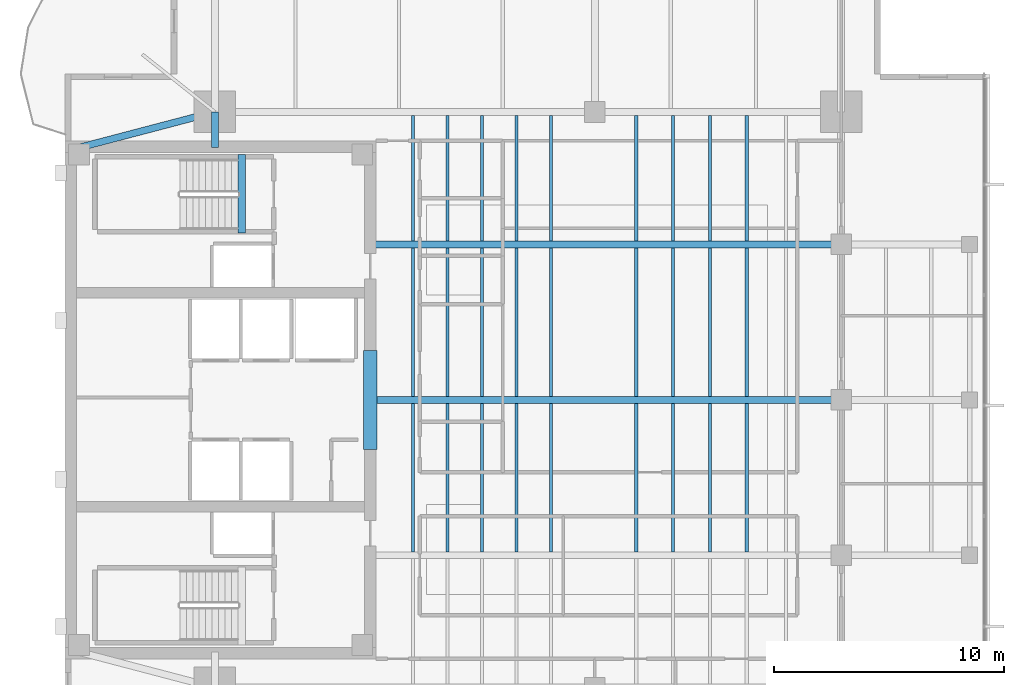
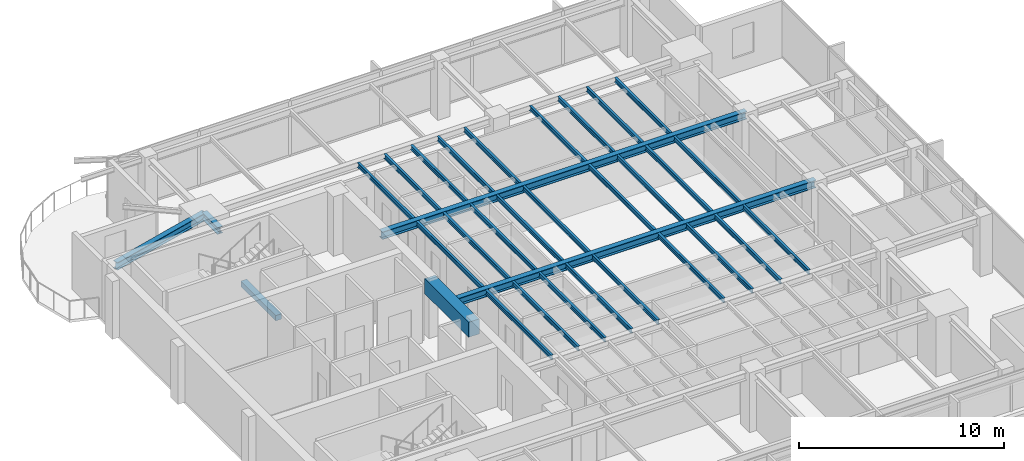
# One storey, part 3 of 14: 33 beams.
"""IFC4 building model written with IfcOpenShell, lengths in metres."""

import ifcopenshell
import ifcopenshell.guid

model = None  # the IFC model being written
_history = None  # IfcOwnerHistory: only IFC2X3 demands one
_inside = {}  # id of a spatial element -> (the spatial element, [elements in it])
_under = {}  # id of a project, library or spatial element -> (it, [spatial elements below it])
_declared = {}  # id of a project -> (the project, [libraries it declares])
_typed = {}  # id of a type object -> (the type object, [elements of that type])
_made_of = {}  # id of a material, layer set ... -> (it, [elements and type objects made of it])


def new_model(schema):
    """Start an empty IFC model of exactly this schema.

    Asked for "IFC4X3", IfcOpenShell would pick the latest addendum, in which some entities
    have other attributes; the version numbers below select the first issue.
    IFC2X3 requires an IfcOwnerHistory on every rooted entity: one is made here for all.
    """
    global model, _history
    if schema == "IFC4X3":
        model = ifcopenshell.file(schema_version=(4, 3, 0, 0))
    else:
        model = ifcopenshell.file(schema=schema)
    _inside.clear()
    _under.clear()
    _declared.clear()
    _typed.clear()
    _made_of.clear()
    _history = None
    if model.schema == "IFC2X3":
        org = make("IfcOrganization", Name="unknown")
        user = make(
            "IfcPersonAndOrganization",
            ThePerson=make("IfcPerson", FamilyName="unknown"),
            TheOrganization=org,
        )
        app = make(
            "IfcApplication",
            ApplicationDeveloper=org,
            Version="unknown",
            ApplicationFullName="unknown",
            ApplicationIdentifier="unknown",
        )
        _history = make(
            "IfcOwnerHistory",
            OwningUser=user,
            OwningApplication=app,
            ChangeAction="ADDED",
            CreationDate=0,
        )
    return model


def make(cls, **values):
    """One entity of the class cls with the attributes given. An attribute that is None is left unset."""
    return model.create_entity(
        cls, **{name: value for name, value in values.items() if value is not None}
    )


def rooted(cls, **values):
    """An entity with a GlobalId (a new one), such as an element, a storey or a relation."""
    return make(cls, GlobalId=ifcopenshell.guid.new(), OwnerHistory=_history, **values)


def si_unit(unit_type, name, prefix=None):
    """IfcSIUnit, for example si_unit("LENGTHUNIT", "METRE", prefix="MILLI")."""
    return make("IfcSIUnit", UnitType=unit_type, Prefix=prefix, Name=name)


def assignment(units):
    """IfcUnitAssignment: the units of a project."""
    return None if units is None else make("IfcUnitAssignment", Units=units)


def point(xyz):
    """IfcCartesianPoint."""
    return None if xyz is None else make("IfcCartesianPoint", Coordinates=xyz)


def direction(xyz):
    """IfcDirection."""
    return None if xyz is None else make("IfcDirection", DirectionRatios=xyz)


def frame(location, z_axis=None, x_axis=None):
    """IfcAxis2Placement3D, a coordinate frame: its origin and axes. An axis left out is left unset."""
    return make(
        "IfcAxis2Placement3D",
        Location=point(location),
        Axis=direction(z_axis),
        RefDirection=direction(x_axis),
    )


def frame_2d(location, x_axis=None):
    """IfcAxis2Placement2D, a coordinate frame in the plane: its origin and x axis."""
    return make(
        "IfcAxis2Placement2D", Location=point(location), RefDirection=direction(x_axis)
    )


def origin():
    """The frame at (0, 0, 0) with its axes left unset."""
    return frame((0.0, 0.0, 0.0))


def origin_2d():
    """The frame at (0, 0) in the plane with its x axis left unset."""
    return frame_2d((0.0, 0.0))


def place(relative_to, where):
    """IfcLocalPlacement: puts the frame where relative to a parent placement (None: the world)."""
    return make(
        "IfcLocalPlacement", PlacementRelTo=relative_to, RelativePlacement=where
    )


def context(
    kind, dimensions, precision=None, world=None, true_north=None, identifier=None
):
    """IfcGeometricRepresentationContext, for example the 3D "Model" context."""
    return make(
        "IfcGeometricRepresentationContext",
        ContextIdentifier=identifier,
        ContextType=kind,
        CoordinateSpaceDimension=dimensions,
        Precision=precision,
        WorldCoordinateSystem=world,
        TrueNorth=true_north,
    )


def subcontext(parent, identifier, kind, view, scale=None):
    """IfcGeometricRepresentationSubContext, for example "Body" below "Model"."""
    return make(
        "IfcGeometricRepresentationSubContext",
        ContextIdentifier=identifier,
        ContextType=kind,
        ParentContext=parent,
        TargetScale=scale,
        TargetView=view,
    )


def project(units=None, contexts=None):
    """IfcProject with its units and contexts."""
    return rooted(
        "IfcProject",
        Name="project",
        RepresentationContexts=contexts,
        UnitsInContext=assignment(units),
    )


def spatial(cls, under=None, at=None, **own):
    """A site, building, storey or space (cls), placed at a placement, below another one or the project."""
    s = rooted(cls, ObjectPlacement=at, **own)
    if under is not None:
        _under.setdefault(under.id(), (under, []))[1].append(s)
    return s


def profile(cls, at=None, kind="AREA", **sizes):
    """A parametric profile (cls). Its sizes go by their IFC names, for example OverallWidth=200.0."""
    return make(cls, ProfileType=kind, Position=at, **sizes)


def rectangle(**sizes):
    """IfcRectangleProfileDef."""
    return profile("IfcRectangleProfileDef", **sizes)


def i_section(**sizes):
    """IfcIShapeProfileDef."""
    return profile("IfcIShapeProfileDef", **sizes)


def extrude(swept, where, along, depth):
    """IfcExtrudedAreaSolid: the profile swept, set in the frame where, extruded along a direction by depth."""
    return make(
        "IfcExtrudedAreaSolid",
        SweptArea=swept,
        Position=where,
        ExtrudedDirection=direction(along),
        Depth=depth,
    )


def shape(context_of_items, identifier, shape_type, items):
    """IfcShapeRepresentation: the items that make up one representation, for example the "Body"."""
    return make(
        "IfcShapeRepresentation",
        ContextOfItems=context_of_items,
        RepresentationIdentifier=identifier,
        RepresentationType=shape_type,
        Items=items,
    )


def material(Name=None, Category=None):
    """IfcMaterial."""
    return make("IfcMaterial", Name=Name, Category=Category)


def material_profile(
    of_material, cross_section, Name=None, Category=None, Priority=None
):
    """IfcMaterialProfile: a cross section and its material."""
    return make(
        "IfcMaterialProfile",
        Name=Name,
        Material=of_material,
        Profile=cross_section,
        Priority=Priority,
        Category=Category,
    )


def profile_set(profiles, Name=None, composite=None):
    """IfcMaterialProfileSet."""
    return make(
        "IfcMaterialProfileSet",
        Name=Name,
        MaterialProfiles=profiles,
        CompositeProfile=composite,
    )


def made_of(thing, what):
    """Note that an element or type object is made of a material, layer set ...; save() writes the relation."""
    if what is not None:
        _made_of.setdefault(what.id(), (what, []))[1].append(thing)
    return thing


def type_object(cls, material=None, **own):
    """A type object (cls), such as IfcWallType, which elements share."""
    return made_of(rooted(cls, **own), material)


def element(
    cls,
    number,
    at=None,
    inside=None,
    cuts=None,
    type_object=None,
    material=None,
    context=None,
    identifier="Body",
    shape_type=None,
    held_by="IfcProductDefinitionShape",
    body=None,
    shapes=None,
    **own,
):
    """One element of the class cls, such as IfcWall. Its Tag is "e" and its number.

    at: its placement. inside: the storey or other place that contains it. cuts: it is an
    opening in that element (IfcRelVoidsElement). A single representation is given by context,
    identifier, shape_type and body (its items); several are given by shapes. held_by: the class
    of the entity that holds the representations. save() writes the other relations.
    """
    e = rooted(cls, Tag="e%d" % number, ObjectPlacement=at, **own)
    if body is not None:
        shapes = [shape(context, identifier, shape_type, body)]
    if shapes is not None:
        e.Representation = make(held_by, Representations=shapes)
    if inside is not None:
        _inside.setdefault(inside.id(), (inside, []))[1].append(e)
    if cuts is not None:
        rooted(
            "IfcRelVoidsElement", RelatingBuildingElement=cuts, RelatedOpeningElement=e
        )
    if type_object is not None:
        _typed.setdefault(type_object.id(), (type_object, []))[1].append(e)
    return made_of(e, material)


def aggregate(whole, parts):
    """IfcRelAggregates: a whole, such as a stair, and the parts it consists of."""
    return rooted("IfcRelAggregates", RelatingObject=whole, RelatedObjects=parts)


def save(model, path):
    """Write the relations noted so far, then the file.

    IfcRelAggregates (storeys below a building ...), IfcRelContainedInSpatialStructure (elements
    in a storey), IfcRelDefinesByType, IfcRelAssociatesMaterial and IfcRelDeclares: one each for
    every whole, place, type object, material and project.
    """
    for whole, parts in _under.values():
        aggregate(whole, parts)
    for where, things in _inside.values():
        rooted(
            "IfcRelContainedInSpatialStructure",
            RelatedElements=things,
            RelatingStructure=where,
        )
    for kind, things in _typed.values():
        rooted("IfcRelDefinesByType", RelatedObjects=things, RelatingType=kind)
    for what, things in _made_of.values():
        rooted("IfcRelAssociatesMaterial", RelatedObjects=things, RelatingMaterial=what)
    for by, libraries in _declared.values():
        rooted("IfcRelDeclares", RelatingContext=by, RelatedDefinitions=libraries)
    model.write(path)


model = new_model("IFC4")

# Units and contexts
model_context = context("Model", 3, precision=1e-05, world=origin(), true_north=direction((0.0, 1.0)))
body_context = subcontext(model_context, "Body", "Model", "MODEL_VIEW")
ifc_project = project(units=[si_unit("LENGTHUNIT", "METRE"), si_unit("AREAUNIT", "SQUARE_METRE"), si_unit("VOLUMEUNIT", "CUBIC_METRE"), si_unit("PLANEANGLEUNIT", "RADIAN"), si_unit("MASSUNIT", "GRAM", prefix="KILO")], contexts=[model_context])

# Site, building, storey
site_placement = place(None, origin())
site = spatial("IfcSite", under=ifc_project, at=site_placement, CompositionType="ELEMENT")
building_placement = place(site_placement, origin())
building = spatial("IfcBuilding", under=site, at=building_placement, Name="Kinhvarn Gate Tower", CompositionType="ELEMENT")
storey_placement = place(building_placement, frame((0.0, 0.0, 277.64990234375)))
storey = spatial("IfcBuildingStorey", under=building, at=storey_placement, Name="L74", CompositionType="ELEMENT", Elevation=277.64990234375)

# Beams
ifc_material_1 = material(Name="Concrete C60/75", Category="concrete")
ifc_material_profile_1 = material_profile(ifc_material_1, rectangle(XDim=0.60009765625, YDim=0.89990234375, at=origin_2d()), Name="RC 600x900")
ifc_profile_set_1 = profile_set([ifc_material_profile_1], Name="Concrete C60/75")
beam_type_1 = type_object("IfcBeamType", Name="BM-CB-900", PredefinedType="LINTEL", material=ifc_profile_set_1)
beam_1_placement = place(storey_placement, frame((17.75, 23.10009765625, 2.940185546875), z_axis=(0.0, 1.0, 0.0), x_axis=(-1.0, 0.0, 0.0)))
element("IfcBeam", 1, at=beam_1_placement, inside=storey, type_object=beam_type_1, Name="Core East Portal Coupling Beam L74", PredefinedType="LINTEL", context=body_context, shape_type="SweptSolid", body=[
    extrude(rectangle(XDim=0.60009765625, YDim=0.89990234375, at=origin_2d()), origin(), (0.0, 0.0, 1.0), 4.2998046875),
])
ifc_material_2 = material(Name="Concrete C50/60", Category="concrete")
ifc_material_profile_2 = material_profile(ifc_material_2, rectangle(XDim=0.340087890625, YDim=0.320068359375, at=origin_2d()), Name="RC 340x320")
ifc_profile_set_2 = profile_set([ifc_material_profile_2], Name="Concrete C50/60")
beam_type_2 = type_object("IfcBeamType", Name="BM-LND-500", PredefinedType="BEAM", material=ifc_profile_set_2)
beam_2_placement = place(storey_placement, frame((12.1650390625, 32.5, -0.159912109375), z_axis=(0.0, 1.0, 0.0), x_axis=(-1.0, 0.0, 0.0)))
element("IfcBeam", 2, at=beam_2_placement, inside=storey, type_object=beam_type_2, Name="Stair ST2 Landing Nosing Beam (L74)", PredefinedType="BEAM", context=body_context, shape_type="SweptSolid", body=[
    extrude(rectangle(XDim=0.340087890625, YDim=0.320068359375, at=origin_2d()), origin(), (0.0, 0.0, 1.0), 3.39990234375),
])
ifc_material_3 = material(Name="Steel S355", Category="steel")
ifc_material_profile_3 = material_profile(ifc_material_3, i_section(OverallWidth=0.300048828125, OverallDepth=0.39990234375, WebThickness=0.013427734375, FlangeThickness=0.02392578125, at=origin_2d()), Name="HEB 400")
ifc_profile_set_3 = profile_set([ifc_material_profile_3], Name="Steel S355")
beam_type_3 = type_object("IfcBeamType", Name="STL-HEB400", PredefinedType="BEAM", material=ifc_profile_set_3)
beam_3_placement = place(storey_placement, frame((11.0, 36.199951171875, 3.190185546875), z_axis=(0.0, 1.0, 0.0), x_axis=(-1.0, 0.0, 0.0)))
element("IfcBeam", 3, at=beam_3_placement, inside=storey, type_object=beam_type_3, Name="Floor Beam PG-12 (L74 MCW-CN)", PredefinedType="BEAM", context=body_context, shape_type="SweptSolid", body=[
    extrude(i_section(OverallWidth=0.300048828125, OverallDepth=0.39990234375, WebThickness=0.013427734375, FlangeThickness=0.02392578125, at=origin_2d()), origin(), (0.0, 0.0, 1.0), 1.550048828125),
])
ifc_material_profile_4 = material_profile(ifc_material_3, i_section(OverallWidth=0.300048828125, OverallDepth=0.449951171875, WebThickness=0.013916015625, FlangeThickness=0.02587890625, at=origin_2d()), Name="HEB 450")
ifc_profile_set_4 = profile_set([ifc_material_profile_4], Name="Steel S355")
beam_type_4 = type_object("IfcBeamType", Name="STL-HEB450", PredefinedType="BEAM", material=ifc_profile_set_4)
beam_4_placement = place(storey_placement, frame((5.10009765625, 36.199951171875, 3.1650390625), z_axis=(0.967177623957, 0.254101246979, 0.0), x_axis=(-0.254101246979, 0.967177623957, 0.0)))
element("IfcBeam", 4, at=beam_4_placement, inside=storey, type_object=beam_type_4, Name="Floor Beam PG-13 (L74 MG-NW-DIAG)", PredefinedType="BEAM", context=body_context, shape_type="SweptSolid", body=[
    extrude(i_section(OverallWidth=0.300048828125, OverallDepth=0.449951171875, WebThickness=0.013916015625, FlangeThickness=0.02587890625, at=origin_2d()), origin(), (0.0, 0.0, 1.0), 6.10009765625),
])
beam_5_placement = place(storey_placement, frame((18.050048828125, 25.25, 3.1650390625), z_axis=(1.0, 0.0, 0.0), x_axis=(0.0, 1.0, 0.0)))
element("IfcBeam", 5, at=beam_5_placement, inside=storey, type_object=beam_type_4, Name="Floor Beam PG-13 (L74 EW1-Y25)", PredefinedType="BEAM", context=body_context, shape_type="SweptSolid", body=[
    extrude(i_section(OverallWidth=0.300048828125, OverallDepth=0.449951171875, WebThickness=0.013916015625, FlangeThickness=0.02587890625, at=origin_2d()), origin(), (0.0, 0.0, 1.0), 20.14990234375),
])
beam_6_placement = place(storey_placement, frame((17.64990234375, 32.0, 3.1650390625), z_axis=(1.0, 0.0, 0.0), x_axis=(0.0, 1.0, 0.0)))
element("IfcBeam", 6, at=beam_6_placement, inside=storey, type_object=beam_type_4, Name="Floor Beam PG-13 (L74 EW1-Y32)", PredefinedType="BEAM", context=body_context, shape_type="SweptSolid", body=[
    extrude(i_section(OverallWidth=0.300048828125, OverallDepth=0.449951171875, WebThickness=0.013916015625, FlangeThickness=0.02587890625, at=origin_2d()), origin(), (0.0, 0.0, 1.0), 20.550048828125),
])
ifc_material_profile_5 = material_profile(ifc_material_3, i_section(OverallWidth=0.135009765625, OverallDepth=0.27001953125, WebThickness=0.006591796875, FlangeThickness=0.01025390625, at=origin_2d()), Name="IPE 270")
ifc_profile_set_5 = profile_set([ifc_material_profile_5], Name="Steel S355")
beam_type_5 = type_object("IfcBeamType", Name="STL-IPE270", PredefinedType="JOIST", material=ifc_profile_set_5)
for number, where, z_axis, x_axis, name in (
    (7, (19.60009765625, 18.64990234375, 3.255126953125), (0.0, 1.0, 0.0), (-1.0, 0.0, 0.0), "Floor Joist SB-01 (L74 JC-X196-1)"),
    (8, (19.60009765625, 25.39990234375, 3.255126953125), (0.0, 1.0, 0.0), (-1.0, 0.0, 0.0), "Floor Joist SB-01 (L74 JC-X196-2)"),
):
    element("IfcBeam", number, at=place(storey_placement, frame(where, z_axis=z_axis, x_axis=x_axis)), inside=storey, type_object=beam_type_5, Name=name, PredefinedType="JOIST", context=body_context, shape_type="SweptSolid", body=[
        extrude(i_section(OverallWidth=0.135009765625, OverallDepth=0.27001953125, WebThickness=0.006591796875, FlangeThickness=0.01025390625, at=origin_2d()), origin(), (0.0, 0.0, 1.0), 6.4501953125),
    ])
beam_7_placement = place(storey_placement, frame((19.60009765625, 32.14990234375, 3.255126953125), z_axis=(0.0, 1.0, 0.0), x_axis=(-1.0, 0.0, 0.0)))
element("IfcBeam", 9, at=beam_7_placement, inside=storey, type_object=beam_type_5, Name="Floor Joist SB-01 (L74 JC-X196-3)", PredefinedType="JOIST", context=body_context, shape_type="SweptSolid", body=[
    extrude(i_section(OverallWidth=0.135009765625, OverallDepth=0.27001953125, WebThickness=0.006591796875, FlangeThickness=0.01025390625, at=origin_2d()), origin(), (0.0, 0.0, 1.0), 5.4501953125),
])
for number, where, z_axis, x_axis, name in (
    (10, (21.10009765625, 18.64990234375, 3.255126953125), (0.0, 1.0, 0.0), (-1.0, 0.0, 0.0), "Floor Joist SB-01 (L74 JC-X211-1)"),
    (11, (21.10009765625, 25.39990234375, 3.255126953125), (0.0, 1.0, 0.0), (-1.0, 0.0, 0.0), "Floor Joist SB-01 (L74 JC-X211-2)"),
):
    element("IfcBeam", number, at=place(storey_placement, frame(where, z_axis=z_axis, x_axis=x_axis)), inside=storey, type_object=beam_type_5, Name=name, PredefinedType="JOIST", context=body_context, shape_type="SweptSolid", body=[
        extrude(i_section(OverallWidth=0.135009765625, OverallDepth=0.27001953125, WebThickness=0.006591796875, FlangeThickness=0.01025390625, at=origin_2d()), origin(), (0.0, 0.0, 1.0), 6.4501953125),
    ])
beam_8_placement = place(storey_placement, frame((21.10009765625, 32.14990234375, 3.255126953125), z_axis=(0.0, 1.0, 0.0), x_axis=(-1.0, 0.0, 0.0)))
element("IfcBeam", 12, at=beam_8_placement, inside=storey, type_object=beam_type_5, Name="Floor Joist SB-01 (L74 JC-X211-3)", PredefinedType="JOIST", context=body_context, shape_type="SweptSolid", body=[
    extrude(i_section(OverallWidth=0.135009765625, OverallDepth=0.27001953125, WebThickness=0.006591796875, FlangeThickness=0.01025390625, at=origin_2d()), origin(), (0.0, 0.0, 1.0), 5.4501953125),
])
for number, where, z_axis, x_axis, name in (
    (13, (22.60009765625, 18.64990234375, 3.255126953125), (0.0, 1.0, 0.0), (-1.0, 0.0, 0.0), "Floor Joist SB-01 (L74 JC-X226-1)"),
    (14, (22.60009765625, 25.39990234375, 3.255126953125), (0.0, 1.0, 0.0), (-1.0, 0.0, 0.0), "Floor Joist SB-01 (L74 JC-X226-2)"),
):
    element("IfcBeam", number, at=place(storey_placement, frame(where, z_axis=z_axis, x_axis=x_axis)), inside=storey, type_object=beam_type_5, Name=name, PredefinedType="JOIST", context=body_context, shape_type="SweptSolid", body=[
        extrude(i_section(OverallWidth=0.135009765625, OverallDepth=0.27001953125, WebThickness=0.006591796875, FlangeThickness=0.01025390625, at=origin_2d()), origin(), (0.0, 0.0, 1.0), 6.4501953125),
    ])
beam_9_placement = place(storey_placement, frame((22.60009765625, 32.14990234375, 3.255126953125), z_axis=(0.0, 1.0, 0.0), x_axis=(-1.0, 0.0, 0.0)))
element("IfcBeam", 15, at=beam_9_placement, inside=storey, type_object=beam_type_5, Name="Floor Joist SB-01 (L74 JC-X226-3)", PredefinedType="JOIST", context=body_context, shape_type="SweptSolid", body=[
    extrude(i_section(OverallWidth=0.135009765625, OverallDepth=0.27001953125, WebThickness=0.006591796875, FlangeThickness=0.01025390625, at=origin_2d()), origin(), (0.0, 0.0, 1.0), 5.4501953125),
])
for number, where, z_axis, x_axis, name in (
    (16, (24.10009765625, 18.64990234375, 3.255126953125), (0.0, 1.0, 0.0), (-1.0, 0.0, 0.0), "Floor Joist SB-01 (L74 JC-X241-1)"),
    (17, (24.10009765625, 25.39990234375, 3.255126953125), (0.0, 1.0, 0.0), (-1.0, 0.0, 0.0), "Floor Joist SB-01 (L74 JC-X241-2)"),
):
    element("IfcBeam", number, at=place(storey_placement, frame(where, z_axis=z_axis, x_axis=x_axis)), inside=storey, type_object=beam_type_5, Name=name, PredefinedType="JOIST", context=body_context, shape_type="SweptSolid", body=[
        extrude(i_section(OverallWidth=0.135009765625, OverallDepth=0.27001953125, WebThickness=0.006591796875, FlangeThickness=0.01025390625, at=origin_2d()), origin(), (0.0, 0.0, 1.0), 6.4501953125),
    ])
beam_10_placement = place(storey_placement, frame((24.10009765625, 32.14990234375, 3.255126953125), z_axis=(0.0, 1.0, 0.0), x_axis=(-1.0, 0.0, 0.0)))
element("IfcBeam", 18, at=beam_10_placement, inside=storey, type_object=beam_type_5, Name="Floor Joist SB-01 (L74 JC-X241-3)", PredefinedType="JOIST", context=body_context, shape_type="SweptSolid", body=[
    extrude(i_section(OverallWidth=0.135009765625, OverallDepth=0.27001953125, WebThickness=0.006591796875, FlangeThickness=0.01025390625, at=origin_2d()), origin(), (0.0, 0.0, 1.0), 5.4501953125),
])
for number, where, z_axis, x_axis, name in (
    (19, (25.60009765625, 18.64990234375, 3.255126953125), (0.0, 1.0, 0.0), (-1.0, 0.0, 0.0), "Floor Joist SB-01 (L74 JC-X256-1)"),
    (20, (25.60009765625, 25.39990234375, 3.255126953125), (0.0, 1.0, 0.0), (-1.0, 0.0, 0.0), "Floor Joist SB-01 (L74 JC-X256-2)"),
):
    element("IfcBeam", number, at=place(storey_placement, frame(where, z_axis=z_axis, x_axis=x_axis)), inside=storey, type_object=beam_type_5, Name=name, PredefinedType="JOIST", context=body_context, shape_type="SweptSolid", body=[
        extrude(i_section(OverallWidth=0.135009765625, OverallDepth=0.27001953125, WebThickness=0.006591796875, FlangeThickness=0.01025390625, at=origin_2d()), origin(), (0.0, 0.0, 1.0), 6.4501953125),
    ])
beam_11_placement = place(storey_placement, frame((25.60009765625, 32.14990234375, 3.255126953125), z_axis=(0.0, 1.0, 0.0), x_axis=(-1.0, 0.0, 0.0)))
element("IfcBeam", 21, at=beam_11_placement, inside=storey, type_object=beam_type_5, Name="Floor Joist SB-01 (L74 JC-X256-3)", PredefinedType="JOIST", context=body_context, shape_type="SweptSolid", body=[
    extrude(i_section(OverallWidth=0.135009765625, OverallDepth=0.27001953125, WebThickness=0.006591796875, FlangeThickness=0.01025390625, at=origin_2d()), origin(), (0.0, 0.0, 1.0), 5.4501953125),
])
for number, where, z_axis, x_axis, name in (
    (22, (29.300048828125, 18.64990234375, 3.255126953125), (0.0, 1.0, 0.0), (-1.0, 0.0, 0.0), "Floor Joist SB-01 (L74 JC-X293-1)"),
    (23, (29.300048828125, 25.39990234375, 3.255126953125), (0.0, 1.0, 0.0), (-1.0, 0.0, 0.0), "Floor Joist SB-01 (L74 JC-X293-2)"),
):
    element("IfcBeam", number, at=place(storey_placement, frame(where, z_axis=z_axis, x_axis=x_axis)), inside=storey, type_object=beam_type_5, Name=name, PredefinedType="JOIST", context=body_context, shape_type="SweptSolid", body=[
        extrude(i_section(OverallWidth=0.135009765625, OverallDepth=0.27001953125, WebThickness=0.006591796875, FlangeThickness=0.01025390625, at=origin_2d()), origin(), (0.0, 0.0, 1.0), 6.4501953125),
    ])
beam_12_placement = place(storey_placement, frame((29.300048828125, 32.14990234375, 3.255126953125), z_axis=(0.0, 1.0, 0.0), x_axis=(-1.0, 0.0, 0.0)))
element("IfcBeam", 24, at=beam_12_placement, inside=storey, type_object=beam_type_5, Name="Floor Joist SB-01 (L74 JC-X293-3)", PredefinedType="JOIST", context=body_context, shape_type="SweptSolid", body=[
    extrude(i_section(OverallWidth=0.135009765625, OverallDepth=0.27001953125, WebThickness=0.006591796875, FlangeThickness=0.01025390625, at=origin_2d()), origin(), (0.0, 0.0, 1.0), 5.4501953125),
])
for number, where, z_axis, x_axis, name in (
    (25, (30.89990234375, 18.64990234375, 3.255126953125), (0.0, 1.0, 0.0), (-1.0, 0.0, 0.0), "Floor Joist SB-01 (L74 JC-X309-1)"),
    (26, (30.89990234375, 25.39990234375, 3.255126953125), (0.0, 1.0, 0.0), (-1.0, 0.0, 0.0), "Floor Joist SB-01 (L74 JC-X309-2)"),
):
    element("IfcBeam", number, at=place(storey_placement, frame(where, z_axis=z_axis, x_axis=x_axis)), inside=storey, type_object=beam_type_5, Name=name, PredefinedType="JOIST", context=body_context, shape_type="SweptSolid", body=[
        extrude(i_section(OverallWidth=0.135009765625, OverallDepth=0.27001953125, WebThickness=0.006591796875, FlangeThickness=0.01025390625, at=origin_2d()), origin(), (0.0, 0.0, 1.0), 6.4501953125),
    ])
beam_13_placement = place(storey_placement, frame((30.89990234375, 32.14990234375, 3.255126953125), z_axis=(0.0, 1.0, 0.0), x_axis=(-1.0, 0.0, 0.0)))
element("IfcBeam", 27, at=beam_13_placement, inside=storey, type_object=beam_type_5, Name="Floor Joist SB-01 (L74 JC-X309-3)", PredefinedType="JOIST", context=body_context, shape_type="SweptSolid", body=[
    extrude(i_section(OverallWidth=0.135009765625, OverallDepth=0.27001953125, WebThickness=0.006591796875, FlangeThickness=0.01025390625, at=origin_2d()), origin(), (0.0, 0.0, 1.0), 5.4501953125),
])
for number, where, z_axis, x_axis, name in (
    (28, (32.5, 18.64990234375, 3.255126953125), (0.0, 1.0, 0.0), (-1.0, 0.0, 0.0), "Floor Joist SB-01 (L74 JC-X325-1)"),
    (29, (32.5, 25.39990234375, 3.255126953125), (0.0, 1.0, 0.0), (-1.0, 0.0, 0.0), "Floor Joist SB-01 (L74 JC-X325-2)"),
):
    element("IfcBeam", number, at=place(storey_placement, frame(where, z_axis=z_axis, x_axis=x_axis)), inside=storey, type_object=beam_type_5, Name=name, PredefinedType="JOIST", context=body_context, shape_type="SweptSolid", body=[
        extrude(i_section(OverallWidth=0.135009765625, OverallDepth=0.27001953125, WebThickness=0.006591796875, FlangeThickness=0.01025390625, at=origin_2d()), origin(), (0.0, 0.0, 1.0), 6.4501953125),
    ])
beam_14_placement = place(storey_placement, frame((32.5, 32.14990234375, 3.255126953125), z_axis=(0.0, 1.0, 0.0), x_axis=(-1.0, 0.0, 0.0)))
element("IfcBeam", 30, at=beam_14_placement, inside=storey, type_object=beam_type_5, Name="Floor Joist SB-01 (L74 JC-X325-3)", PredefinedType="JOIST", context=body_context, shape_type="SweptSolid", body=[
    extrude(i_section(OverallWidth=0.135009765625, OverallDepth=0.27001953125, WebThickness=0.006591796875, FlangeThickness=0.01025390625, at=origin_2d()), origin(), (0.0, 0.0, 1.0), 5.4501953125),
])
for number, where, z_axis, x_axis, name in (
    (31, (34.10009765625, 18.64990234375, 3.255126953125), (0.0, 1.0, 0.0), (-1.0, 0.0, 0.0), "Floor Joist SB-01 (L74 JC-X341-1)"),
    (32, (34.10009765625, 25.39990234375, 3.255126953125), (0.0, 1.0, 0.0), (-1.0, 0.0, 0.0), "Floor Joist SB-01 (L74 JC-X341-2)"),
):
    element("IfcBeam", number, at=place(storey_placement, frame(where, z_axis=z_axis, x_axis=x_axis)), inside=storey, type_object=beam_type_5, Name=name, PredefinedType="JOIST", context=body_context, shape_type="SweptSolid", body=[
        extrude(i_section(OverallWidth=0.135009765625, OverallDepth=0.27001953125, WebThickness=0.006591796875, FlangeThickness=0.01025390625, at=origin_2d()), origin(), (0.0, 0.0, 1.0), 6.4501953125),
    ])
beam_15_placement = place(storey_placement, frame((34.10009765625, 32.14990234375, 3.255126953125), z_axis=(0.0, 1.0, 0.0), x_axis=(-1.0, 0.0, 0.0)))
element("IfcBeam", 33, at=beam_15_placement, inside=storey, type_object=beam_type_5, Name="Floor Joist SB-01 (L74 JC-X341-3)", PredefinedType="JOIST", context=body_context, shape_type="SweptSolid", body=[
    extrude(i_section(OverallWidth=0.135009765625, OverallDepth=0.27001953125, WebThickness=0.006591796875, FlangeThickness=0.01025390625, at=origin_2d()), origin(), (0.0, 0.0, 1.0), 5.4501953125),
])

save(model, "model.ifc")
